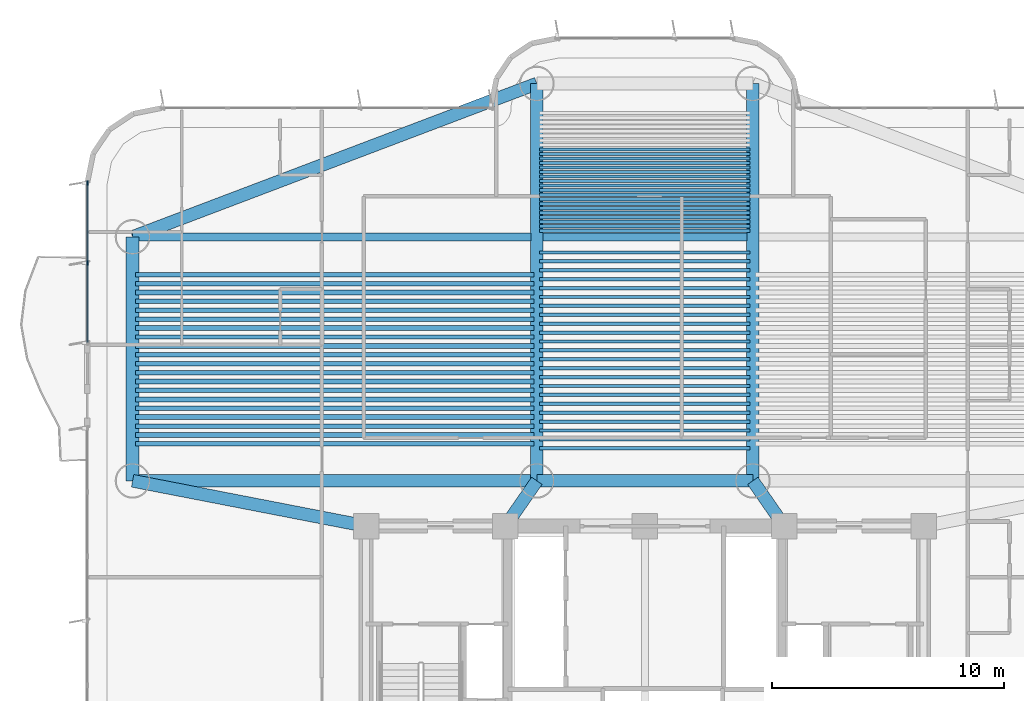
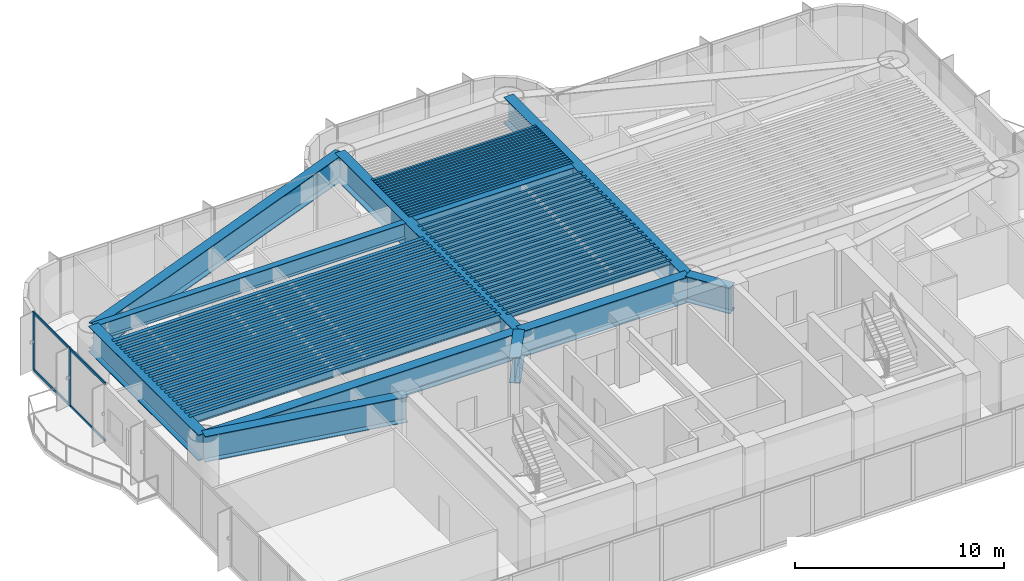
# One storey, part 3 of 17: 73 beams, 6 members, 1 element without a shape of its own.
"""IFC4 building model written with IfcOpenShell, lengths in metres."""

from ifc_helpers import new_model, si_unit, direction, frame, origin, origin_2d, place, context, subcontext, project, spatial, rectangle, i_section, extrude, source, transform, mapped, material, layer, layer_set, material_profile, profile_set, type_object, element, aggregate, save


model = new_model("IFC4")

# Units and contexts
model_context = context("Model", 3, precision=1e-05, world=origin(), true_north=direction((0.0, 1.0)))
body_context = subcontext(model_context, "Body", "Model", "MODEL_VIEW")
ifc_project = project(units=[si_unit("LENGTHUNIT", "METRE"), si_unit("AREAUNIT", "SQUARE_METRE"), si_unit("VOLUMEUNIT", "CUBIC_METRE"), si_unit("PLANEANGLEUNIT", "RADIAN"), si_unit("MASSUNIT", "GRAM", prefix="KILO")], contexts=[model_context])

# Site, building, storey
site_placement = place(None, origin())
site = spatial("IfcSite", under=ifc_project, at=site_placement, CompositionType="ELEMENT")
building_placement = place(site_placement, origin())
building = spatial("IfcBuilding", under=site, at=building_placement, Name="Brelvock Crest Care Tower", CompositionType="ELEMENT")
storey_placement = place(building_placement, frame((0.0, 0.0, 76.139892578125)))
storey = spatial("IfcBuildingStorey", under=building, at=storey_placement, Name="L19", CompositionType="ELEMENT", Elevation=76.139892578125)

# Beams
ifc_material_1 = material(Name="Steel Grade 350", Category="steel")
ifc_material_profile_1 = material_profile(ifc_material_1, i_section(OverallWidth=0.208984375, OverallDepth=0.532958984375, WebThickness=0.01025390625, FlangeThickness=0.015625, FilletRadius=0.013916015625, at=origin_2d()), Name="530UB92.4")
ifc_profile_set_1 = profile_set([ifc_material_profile_1], Name="Steel Grade 350")
beam_type_1 = type_object("IfcBeamType", Name="BM-G2", PredefinedType="BEAM", material=ifc_profile_set_1)
shared_shape_1 = source(origin(), body_context, "Body", "SweptSolid", [
    extrude(i_section(OverallWidth=0.208984375, OverallDepth=0.532958984375, WebThickness=0.01025390625, FlangeThickness=0.015625, FilletRadius=0.013916015625, at=origin_2d()), origin(), (0.0, 0.0, 1.0), 17.170166015625),
])
for number, where, z_axis, x_axis, name in (
    (1, (14.06494140625, 21.924072265625, 3.105712890625), (1.0, 0.0, 0.0), (0.0, 1.0, 0.0), "BM-JW-L19-5"),
    (2, (14.06494140625, 22.6904296875, 3.105712890625), (1.0, 0.0, 0.0), (0.0, 1.0, 0.0), "BM-JW-L19-7"),
    (3, (14.06494140625, 23.45703125, 3.105712890625), (1.0, 0.0, 0.0), (0.0, 1.0, 0.0), "BM-JW-L19-9"),
    (4, (14.06494140625, 24.223388671875, 3.105712890625), (1.0, 0.0, 0.0), (0.0, 1.0, 0.0), "BM-JW-L19-11"),
    (5, (14.06494140625, 24.989990234375, 3.105712890625), (1.0, 0.0, 0.0), (0.0, 1.0, 0.0), "BM-JW-L19-13"),
    (6, (14.06494140625, 25.756591796875, 3.105712890625), (1.0, 0.0, 0.0), (0.0, 1.0, 0.0), "BM-JW-L19-15"),
    (7, (14.06494140625, 26.52294921875, 3.105712890625), (1.0, 0.0, 0.0), (0.0, 1.0, 0.0), "BM-JW-L19-17"),
    (8, (14.06494140625, 27.28955078125, 3.105712890625), (1.0, 0.0, 0.0), (0.0, 1.0, 0.0), "BM-JW-L19-19"),
    (9, (14.06494140625, 28.055908203125, 3.105712890625), (1.0, 0.0, 0.0), (0.0, 1.0, 0.0), "BM-JW-L19-21"),
    (10, (14.06494140625, 28.822509765625, 3.105712890625), (1.0, 0.0, 0.0), (0.0, 1.0, 0.0), "BM-JW-L19-23"),
):
    element("IfcBeam", number, at=place(storey_placement, frame(where, z_axis=z_axis, x_axis=x_axis)), inside=storey, type_object=beam_type_1, Name=name, PredefinedType="BEAM", context=body_context, shape_type="MappedRepresentation", body=[
        mapped(shared_shape_1, transform((0.0, 0.0, 0.0), x_axis=(1.0, 0.0, 0.0), y_axis=(0.0, 1.0, 0.0), z_axis=(0.0, 0.0, 1.0), scale=1.0)),
    ])
ifc_material_profile_2 = material_profile(ifc_material_1, i_section(OverallWidth=0.14599609375, OverallDepth=0.256103515625, WebThickness=0.00634765625, FlangeThickness=0.010986328125, FilletRadius=0.0087890625, at=origin_2d()), Name="250UB37.3")
ifc_profile_set_2 = profile_set([ifc_material_profile_2], Name="Steel Grade 350")
beam_type_2 = type_object("IfcBeamType", Name="BM-J3", PredefinedType="JOIST", material=ifc_profile_set_2)
shared_shape_2 = source(origin(), body_context, "Body", "SweptSolid", [
    extrude(i_section(OverallWidth=0.14599609375, OverallDepth=0.256103515625, WebThickness=0.00634765625, FlangeThickness=0.010986328125, FilletRadius=0.0087890625, at=origin_2d()), origin(), (0.0, 0.0, 1.0), 9.06982421875),
])
for number, where, z_axis, x_axis, name in (
    (11, (31.465087890625, 21.34912109375, 3.244140625), (1.0, 0.0, 0.0), (0.0, 1.0, 0.0), "BM-JH-L19-3"),
    (12, (31.465087890625, 21.732421875, 3.244140625), (1.0, 0.0, 0.0), (0.0, 1.0, 0.0), "BM-JH-L19-4"),
    (13, (31.465087890625, 22.115478515625, 3.244140625), (1.0, 0.0, 0.0), (0.0, 1.0, 0.0), "BM-JH-L19-5"),
    (14, (31.465087890625, 22.498779296875, 3.244140625), (1.0, 0.0, 0.0), (0.0, 1.0, 0.0), "BM-JH-L19-6"),
    (15, (31.465087890625, 22.882080078125, 3.244140625), (1.0, 0.0, 0.0), (0.0, 1.0, 0.0), "BM-JH-L19-7"),
    (16, (31.465087890625, 23.265380859375, 3.244140625), (1.0, 0.0, 0.0), (0.0, 1.0, 0.0), "BM-JH-L19-8"),
    (17, (31.465087890625, 23.648681640625, 3.244140625), (1.0, 0.0, 0.0), (0.0, 1.0, 0.0), "BM-JH-L19-9"),
    (18, (31.465087890625, 24.03173828125, 3.244140625), (1.0, 0.0, 0.0), (0.0, 1.0, 0.0), "BM-JH-L19-10"),
    (19, (31.465087890625, 24.4150390625, 3.244140625), (1.0, 0.0, 0.0), (0.0, 1.0, 0.0), "BM-JH-L19-11"),
    (20, (31.465087890625, 24.79833984375, 3.244140625), (1.0, 0.0, 0.0), (0.0, 1.0, 0.0), "BM-JH-L19-12"),
    (21, (31.465087890625, 25.181640625, 3.244140625), (1.0, 0.0, 0.0), (0.0, 1.0, 0.0), "BM-JH-L19-13"),
    (22, (31.465087890625, 25.564697265625, 3.244140625), (1.0, 0.0, 0.0), (0.0, 1.0, 0.0), "BM-JH-L19-14"),
    (23, (31.465087890625, 25.947998046875, 3.244140625), (1.0, 0.0, 0.0), (0.0, 1.0, 0.0), "BM-JH-L19-15"),
    (24, (31.465087890625, 26.331298828125, 3.244140625), (1.0, 0.0, 0.0), (0.0, 1.0, 0.0), "BM-JH-L19-16"),
    (25, (31.465087890625, 26.714599609375, 3.244140625), (1.0, 0.0, 0.0), (0.0, 1.0, 0.0), "BM-JH-L19-17"),
    (26, (31.465087890625, 27.097900390625, 3.244140625), (1.0, 0.0, 0.0), (0.0, 1.0, 0.0), "BM-JH-L19-18"),
    (27, (31.465087890625, 27.481201171875, 3.244140625), (1.0, 0.0, 0.0), (0.0, 1.0, 0.0), "BM-JH-L19-19"),
    (28, (31.465087890625, 27.864501953125, 3.244140625), (1.0, 0.0, 0.0), (0.0, 1.0, 0.0), "BM-JH-L19-20"),
    (29, (31.465087890625, 28.24755859375, 3.244140625), (1.0, 0.0, 0.0), (0.0, 1.0, 0.0), "BM-JH-L19-21"),
    (30, (31.465087890625, 28.630859375, 3.244140625), (1.0, 0.0, 0.0), (0.0, 1.0, 0.0), "BM-JH-L19-22"),
    (31, (31.465087890625, 29.01416015625, 3.244140625), (1.0, 0.0, 0.0), (0.0, 1.0, 0.0), "BM-JH-L19-23"),
    (32, (31.465087890625, 29.397216796875, 3.244140625), (1.0, 0.0, 0.0), (0.0, 1.0, 0.0), "BM-JH-L19-24"),
    (33, (31.465087890625, 29.780517578125, 3.244140625), (1.0, 0.0, 0.0), (0.0, 1.0, 0.0), "BM-JH-L19-25"),
    (34, (31.465087890625, 30.714111328125, 3.244140625), (1.0, 0.0, 0.0), (0.0, 1.0, 0.0), "BM-JN-L19-1"),
    (35, (31.465087890625, 30.90869140625, 3.244140625), (1.0, 0.0, 0.0), (0.0, 1.0, 0.0), "BM-JN-L19-2"),
    (36, (31.465087890625, 31.103515625, 3.244140625), (1.0, 0.0, 0.0), (0.0, 1.0, 0.0), "BM-JN-L19-3"),
    (37, (31.465087890625, 31.298095703125, 3.244140625), (1.0, 0.0, 0.0), (0.0, 1.0, 0.0), "BM-JN-L19-4"),
    (38, (31.465087890625, 31.492919921875, 3.244140625), (1.0, 0.0, 0.0), (0.0, 1.0, 0.0), "BM-JN-L19-5"),
    (39, (31.465087890625, 31.6875, 3.244140625), (1.0, 0.0, 0.0), (0.0, 1.0, 0.0), "BM-JN-L19-6"),
    (40, (31.465087890625, 31.882080078125, 3.244140625), (1.0, 0.0, 0.0), (0.0, 1.0, 0.0), "BM-JN-L19-7"),
    (41, (31.465087890625, 32.076904296875, 3.244140625), (1.0, 0.0, 0.0), (0.0, 1.0, 0.0), "BM-JN-L19-8"),
    (42, (31.465087890625, 32.271484375, 3.244140625), (1.0, 0.0, 0.0), (0.0, 1.0, 0.0), "BM-JN-L19-9"),
    (43, (31.465087890625, 32.46630859375, 3.244140625), (1.0, 0.0, 0.0), (0.0, 1.0, 0.0), "BM-JN-L19-10"),
    (44, (31.465087890625, 32.660888671875, 3.244140625), (1.0, 0.0, 0.0), (0.0, 1.0, 0.0), "BM-JN-L19-11"),
    (45, (31.465087890625, 32.855712890625, 3.244140625), (1.0, 0.0, 0.0), (0.0, 1.0, 0.0), "BM-JN-L19-12"),
    (46, (31.465087890625, 33.05029296875, 3.244140625), (1.0, 0.0, 0.0), (0.0, 1.0, 0.0), "BM-JN-L19-13"),
):
    element("IfcBeam", number, at=place(storey_placement, frame(where, z_axis=z_axis, x_axis=x_axis)), inside=storey, type_object=beam_type_2, Name=name, PredefinedType="JOIST", context=body_context, shape_type="MappedRepresentation", body=[
        mapped(shared_shape_2, transform((0.0, 0.0, 0.0), x_axis=(1.0, 0.0, 0.0), y_axis=(0.0, 1.0, 0.0), z_axis=(0.0, 0.0, 1.0), scale=1.0)),
    ])
ifc_material_profile_3 = material_profile(ifc_material_1, i_section(OverallWidth=0.19091796875, OverallDepth=0.4599609375, WebThickness=0.010009765625, FlangeThickness=0.01611328125, FilletRadius=0.011474609375, at=origin_2d()), Name="460UB82.1")
ifc_profile_set_3 = profile_set([ifc_material_profile_3], Name="Steel Grade 350")
beam_type_3 = type_object("IfcBeamType", Name="BM-G3", PredefinedType="BEAM", material=ifc_profile_set_3)
shared_shape_3 = source(origin(), body_context, "Body", "SweptSolid", [
    extrude(i_section(OverallWidth=0.19091796875, OverallDepth=0.4599609375, WebThickness=0.010009765625, FlangeThickness=0.01611328125, FilletRadius=0.011474609375, at=origin_2d()), origin(), (0.0, 0.0, 1.0), 17.170166015625),
])
for number, where, z_axis, x_axis, name in (
    (47, (14.06494140625, 21.540771484375, 3.14208984375), (1.0, 0.0, 0.0), (0.0, 1.0, 0.0), "BM-JW-L19-4"),
    (48, (14.06494140625, 22.30712890625, 3.14208984375), (1.0, 0.0, 0.0), (0.0, 1.0, 0.0), "BM-JW-L19-6"),
    (49, (14.06494140625, 23.07373046875, 3.14208984375), (1.0, 0.0, 0.0), (0.0, 1.0, 0.0), "BM-JW-L19-8"),
    (50, (14.06494140625, 23.840087890625, 3.14208984375), (1.0, 0.0, 0.0), (0.0, 1.0, 0.0), "BM-JW-L19-10"),
    (51, (14.06494140625, 24.606689453125, 3.14208984375), (1.0, 0.0, 0.0), (0.0, 1.0, 0.0), "BM-JW-L19-12"),
    (52, (14.06494140625, 25.373291015625, 3.14208984375), (1.0, 0.0, 0.0), (0.0, 1.0, 0.0), "BM-JW-L19-14"),
    (53, (14.06494140625, 26.1396484375, 3.14208984375), (1.0, 0.0, 0.0), (0.0, 1.0, 0.0), "BM-JW-L19-16"),
    (54, (14.06494140625, 26.90625, 3.14208984375), (1.0, 0.0, 0.0), (0.0, 1.0, 0.0), "BM-JW-L19-18"),
    (55, (14.06494140625, 27.6728515625, 3.14208984375), (1.0, 0.0, 0.0), (0.0, 1.0, 0.0), "BM-JW-L19-20"),
    (56, (14.06494140625, 28.439208984375, 3.14208984375), (1.0, 0.0, 0.0), (0.0, 1.0, 0.0), "BM-JW-L19-22"),
):
    element("IfcBeam", number, at=place(storey_placement, frame(where, z_axis=z_axis, x_axis=x_axis)), inside=storey, type_object=beam_type_3, Name=name, PredefinedType="BEAM", context=body_context, shape_type="MappedRepresentation", body=[
        mapped(shared_shape_3, transform((0.0, 0.0, 0.0), x_axis=(1.0, 0.0, 0.0), y_axis=(0.0, 1.0, 0.0), z_axis=(0.0, 0.0, 1.0), scale=1.0)),
    ])
ifc_material_profile_4 = material_profile(ifc_material_1, i_section(OverallWidth=0.134033203125, OverallDepth=0.20703125, WebThickness=0.00634765625, FlangeThickness=0.009521484375, FilletRadius=0.0087890625, at=origin_2d()), Name="200UB29.8")
ifc_profile_set_4 = profile_set([ifc_material_profile_4], Name="Steel Grade 350")
beam_type_4 = type_object("IfcBeamType", Name="BM-J4", PredefinedType="JOIST", material=ifc_profile_set_4)
shared_shape_4 = source(origin(), body_context, "Body", "SweptSolid", [
    extrude(i_section(OverallWidth=0.134033203125, OverallDepth=0.20703125, WebThickness=0.00634765625, FlangeThickness=0.009521484375, FilletRadius=0.0087890625, at=origin_2d()), origin(), (0.0, 0.0, 1.0), 9.06982421875),
])
for number, where, z_axis, x_axis, name in (
    (57, (31.465087890625, 33.2451171875, 3.2685546875), (1.0, 0.0, 0.0), (0.0, 1.0, 0.0), "BM-JN-L19-14"),
    (58, (31.465087890625, 33.439697265625, 3.2685546875), (1.0, 0.0, 0.0), (0.0, 1.0, 0.0), "BM-JN-L19-15"),
    (59, (31.465087890625, 33.634521484375, 3.2685546875), (1.0, 0.0, 0.0), (0.0, 1.0, 0.0), "BM-JN-L19-16"),
    (60, (31.465087890625, 33.8291015625, 3.2685546875), (1.0, 0.0, 0.0), (0.0, 1.0, 0.0), "BM-JN-L19-17"),
    (61, (31.465087890625, 34.02392578125, 3.2685546875), (1.0, 0.0, 0.0), (0.0, 1.0, 0.0), "BM-JN-L19-18"),
    (62, (31.465087890625, 34.218505859375, 3.2685546875), (1.0, 0.0, 0.0), (0.0, 1.0, 0.0), "BM-JN-L19-19"),
):
    element("IfcBeam", number, at=place(storey_placement, frame(where, z_axis=z_axis, x_axis=x_axis)), inside=storey, type_object=beam_type_4, Name=name, PredefinedType="JOIST", context=body_context, shape_type="MappedRepresentation", body=[
        mapped(shared_shape_4, transform((0.0, 0.0, 0.0), x_axis=(1.0, 0.0, 0.0), y_axis=(0.0, 1.0, 0.0), z_axis=(0.0, 0.0, 1.0), scale=1.0)),
    ])
ifc_material_profile_5 = material_profile(ifc_material_1, i_section(OverallWidth=0.550048828125, OverallDepth=1.5, WebThickness=0.02392578125, FlangeThickness=0.044921875, at=origin_2d()), Name="1500TG580")
ifc_profile_set_5 = profile_set([ifc_material_profile_5], Name="Steel Grade 350")
beam_type_5 = type_object("IfcBeamType", Name="BM-TG2", PredefinedType="USERDEFINED", material=ifc_profile_set_5)
shared_shape_5 = source(origin(), body_context, "Body", "SweptSolid", [
    extrude(i_section(OverallWidth=0.550048828125, OverallDepth=1.5, WebThickness=0.02392578125, FlangeThickness=0.044921875, at=origin_2d()), origin(), (0.0, 0.0, 1.0), 10.5),
])
beam_1_placement = place(storey_placement, frame((13.949951171875, 19.949951171875, 2.6220703125), z_axis=(0.0, 1.0, 0.0), x_axis=(-1.0, 0.0, 0.0)))
element("IfcBeam", 63, at=beam_1_placement, inside=storey, type_object=beam_type_5, Name="BM-TWR-L19-01", ObjectType="GIRDER", PredefinedType="USERDEFINED", context=body_context, shape_type="MappedRepresentation", body=[
    mapped(shared_shape_5, transform((0.0, 0.0, 0.0), x_axis=(1.0, 0.0, 0.0), y_axis=(0.0, 1.0, 0.0), z_axis=(0.0, 0.0, 1.0), scale=1.0)),
])
shared_shape_6 = source(origin(), body_context, "Body", "SweptSolid", [
    extrude(i_section(OverallWidth=0.550048828125, OverallDepth=1.5, WebThickness=0.02392578125, FlangeThickness=0.044921875, at=origin_2d()), origin(), (0.0, 0.0, 1.0), 17.400146484375),
])
beam_2_placement = place(storey_placement, frame((13.949951171875, 19.949951171875, 2.6220703125), z_axis=(1.0, 0.0, 0.0), x_axis=(0.0, 1.0, 0.0)))
element("IfcBeam", 64, at=beam_2_placement, inside=storey, type_object=beam_type_5, Name="BM-TWR-L19-03", ObjectType="GIRDER", PredefinedType="USERDEFINED", context=body_context, shape_type="MappedRepresentation", body=[
    mapped(shared_shape_6, transform((0.0, 0.0, 0.0), x_axis=(1.0, 0.0, 0.0), y_axis=(0.0, 1.0, 0.0), z_axis=(0.0, 0.0, 1.0), scale=1.0)),
])
shared_shape_7 = source(origin(), body_context, "Body", "SweptSolid", [
    extrude(i_section(OverallWidth=0.550048828125, OverallDepth=1.5, WebThickness=0.02392578125, FlangeThickness=0.044921875, at=origin_2d()), origin(), (0.0, 0.0, 1.0), 9.2998046875),
])
beam_3_placement = place(storey_placement, frame((31.35009765625, 19.949951171875, 2.6220703125), z_axis=(1.0, 0.0, 0.0), x_axis=(0.0, 1.0, 0.0)))
element("IfcBeam", 65, at=beam_3_placement, inside=storey, type_object=beam_type_5, Name="BM-TWR-L19-05", ObjectType="GIRDER", PredefinedType="USERDEFINED", context=body_context, shape_type="MappedRepresentation", body=[
    mapped(shared_shape_7, transform((0.0, 0.0, 0.0), x_axis=(1.0, 0.0, 0.0), y_axis=(0.0, 1.0, 0.0), z_axis=(0.0, 0.0, 1.0), scale=1.0)),
])
shared_shape_8 = source(origin(), body_context, "Body", "SweptSolid", [
    extrude(i_section(OverallWidth=0.550048828125, OverallDepth=1.5, WebThickness=0.02392578125, FlangeThickness=0.044921875, at=origin_2d()), origin(), (0.0, 0.0, 1.0), 18.60986328125),
])
beam_4_placement = place(storey_placement, frame((13.949951171875, 30.449951171875, 2.6220703125), z_axis=(0.934996776275, 0.3546562115, 0.0), x_axis=(-0.3546562115, 0.934996776275, 0.0)))
element("IfcBeam", 66, at=beam_4_placement, inside=storey, type_object=beam_type_5, Name="BM-TWR-L19-06", ObjectType="GIRDER", PredefinedType="USERDEFINED", context=body_context, shape_type="MappedRepresentation", body=[
    mapped(shared_shape_8, transform((0.0, 0.0, 0.0), x_axis=(1.0, 0.0, 0.0), y_axis=(0.0, 1.0, 0.0), z_axis=(0.0, 0.0, 1.0), scale=1.0)),
])
shared_shape_9 = source(origin(), body_context, "Body", "SweptSolid", [
    extrude(i_section(OverallWidth=0.550048828125, OverallDepth=1.5, WebThickness=0.02392578125, FlangeThickness=0.044921875, at=origin_2d()), origin(), (0.0, 0.0, 1.0), 17.10009765625),
])
for number, where, z_axis, x_axis, name in (
    (67, (31.35009765625, 19.949951171875, 2.6220703125), (0.0, 1.0, 0.0), (-1.0, 0.0, 0.0), "BM-TWR-L19-09"),
    (68, (40.64990234375, 19.949951171875, 2.6220703125), (0.0, 1.0, 0.0), (-1.0, 0.0, 0.0), "BM-TWR-L19-10"),
):
    element("IfcBeam", number, at=place(storey_placement, frame(where, z_axis=z_axis, x_axis=x_axis)), inside=storey, type_object=beam_type_5, Name=name, ObjectType="GIRDER", PredefinedType="USERDEFINED", context=body_context, shape_type="MappedRepresentation", body=[
        mapped(shared_shape_9, transform((0.0, 0.0, 0.0), x_axis=(1.0, 0.0, 0.0), y_axis=(0.0, 1.0, 0.0), z_axis=(0.0, 0.0, 1.0), scale=1.0)),
    ])
ifc_material_profile_6 = material_profile(ifc_material_1, i_section(OverallWidth=0.35009765625, OverallDepth=0.89990234375, WebThickness=0.01611328125, FlangeThickness=0.028076171875, at=origin_2d()), Name="900WB257")
ifc_profile_set_6 = profile_set([ifc_material_profile_6], Name="Steel Grade 350")
beam_type_6 = type_object("IfcBeamType", Name="BM-G6", PredefinedType="BEAM", material=ifc_profile_set_6)
shared_shape_10 = source(origin(), body_context, "Body", "SweptSolid", [
    extrude(i_section(OverallWidth=0.35009765625, OverallDepth=0.89990234375, WebThickness=0.01611328125, FlangeThickness=0.028076171875, at=origin_2d()), origin(), (0.0, 0.0, 1.0), 17.14013671875),
])
beam_5_placement = place(storey_placement, frame((13.949951171875, 30.449951171875, 2.922119140625), z_axis=(1.0, 0.0, 0.0), x_axis=(0.0, 1.0, 0.0)))
element("IfcBeam", 69, at=beam_5_placement, inside=storey, type_object=beam_type_6, Name="BM-TIE-L19-W", PredefinedType="BEAM", context=body_context, shape_type="MappedRepresentation", body=[
    mapped(shared_shape_10, transform((0.0, 0.0, 0.0), x_axis=(1.0, 0.0, 0.0), y_axis=(0.0, 1.0, 0.0), z_axis=(0.0, 0.0, 1.0), scale=1.0)),
])
shared_shape_11 = source(origin(), body_context, "Body", "SweptSolid", [
    extrude(i_section(OverallWidth=0.35009765625, OverallDepth=0.89990234375, WebThickness=0.01611328125, FlangeThickness=0.028076171875, at=origin_2d()), origin(), (0.0, 0.0, 1.0), 8.77978515625),
])
beam_6_placement = place(storey_placement, frame((31.610107421875, 30.449951171875, 2.922119140625), z_axis=(1.0, 0.0, 0.0), x_axis=(0.0, 1.0, 0.0)))
element("IfcBeam", 70, at=beam_6_placement, inside=storey, type_object=beam_type_6, Name="BM-TIE-L19-C", PredefinedType="BEAM", context=body_context, shape_type="MappedRepresentation", body=[
    mapped(shared_shape_11, transform((0.0, 0.0, 0.0), x_axis=(1.0, 0.0, 0.0), y_axis=(0.0, 1.0, 0.0), z_axis=(0.0, 0.0, 1.0), scale=1.0)),
])
shared_shape_12 = source(origin(), body_context, "Body", "SweptSolid", [
    extrude(i_section(OverallWidth=0.550048828125, OverallDepth=1.5, WebThickness=0.02392578125, FlangeThickness=0.044921875, at=origin_2d()), origin(), (0.0, 0.0, 1.0), 2.371826171875),
])
for number, where, z_axis, x_axis, name in (
    (71, (30.0, 18.0, 2.6220703125), (0.569247447691, 0.8221662504, 0.0), (-0.8221662504, 0.569247447691, 0.0), "BM-THRW-L19"),
    (72, (42.0, 18.0, 2.6220703125), (-0.569247447691, 0.8221662504, 0.0), (-0.8221662504, -0.569247447691, 0.0), "BM-THRE-L19"),
):
    element("IfcBeam", number, at=place(storey_placement, frame(where, z_axis=z_axis, x_axis=x_axis)), inside=storey, type_object=beam_type_5, Name=name, ObjectType="GIRDER", PredefinedType="USERDEFINED", context=body_context, shape_type="MappedRepresentation", body=[
        mapped(shared_shape_12, transform((0.0, 0.0, 0.0), x_axis=(1.0, 0.0, 0.0), y_axis=(0.0, 1.0, 0.0), z_axis=(0.0, 0.0, 1.0), scale=1.0)),
    ])
shared_shape_13 = source(origin(), body_context, "Body", "SweptSolid", [
    extrude(i_section(OverallWidth=0.550048828125, OverallDepth=1.5, WebThickness=0.02392578125, FlangeThickness=0.044921875, at=origin_2d()), origin(), (0.0, 0.0, 1.0), 10.237548828125),
])
beam_7_placement = place(storey_placement, frame((24.0, 18.0, 2.6220703125), z_axis=(-0.981692632568, 0.190471979991, 0.0), x_axis=(-0.190471979991, -0.981692632568, 0.0)))
element("IfcBeam", 73, at=beam_7_placement, inside=storey, type_object=beam_type_5, Name="BM-THRO-W-L19", ObjectType="GIRDER", PredefinedType="USERDEFINED", context=body_context, shape_type="MappedRepresentation", body=[
    mapped(shared_shape_13, transform((0.0, 0.0, 0.0), x_axis=(1.0, 0.0, 0.0), y_axis=(0.0, 1.0, 0.0), z_axis=(0.0, 0.0, 1.0), scale=1.0)),
])

# Curtain wall, members
ifc_material_2 = material(Name="Dark Glass Double Glazed Low-E", Category="glass")
ifc_layer = layer(ifc_material_2, 0.195068359375, Name="CWS-2")
ifc_layer_set = layer_set([ifc_layer], Name="Dark Glass Double Glazed Low-E")
curtain_wall_type = type_object("IfcCurtainWallType", Name="CWS-2", PredefinedType="NOTDEFINED", material=ifc_layer_set)
curtain_wall_placement = place(storey_placement, origin())
curtain_wall = element("IfcCurtainWall", 74, at=curtain_wall_placement, inside=storey, type_object=curtain_wall_type, Name="L19 Curtain Wall E13B", PredefinedType="NOTDEFINED")
ifc_material_3 = material(Name="Aluminium 6063-T6", Category="aluminium")
ifc_material_profile_7 = material_profile(ifc_material_3, rectangle(XDim=0.06494140625, YDim=0.14990234375, at=origin_2d()), Name="ALU65x150")
ifc_profile_set_7 = profile_set([ifc_material_profile_7], Name="Aluminium 6063-T6")
member_type_1 = type_object("IfcMemberType", Name="CWT-1", PredefinedType="USERDEFINED", material=ifc_profile_set_7)
shared_shape_14 = source(origin(), body_context, "Body", "SweptSolid", [
    extrude(rectangle(XDim=0.06494140625, YDim=0.14990234375, at=origin_2d()), origin(), (0.0, 0.0, 1.0), 3.377685546875),
])
member_1_placement = place(storey_placement, frame((12.0, 29.357421875, 0.03271484375), z_axis=(0.0, 1.0, 0.0), x_axis=(-1.0, 0.0, 0.0)))
member_1 = element("IfcMember", 75, at=member_1_placement, type_object=member_type_1, Name="CW-2 transom 2.1", ObjectType="TRANSOM", PredefinedType="USERDEFINED", context=body_context, shape_type="MappedRepresentation", body=[
    mapped(shared_shape_14, transform((0.0, 0.0, 0.0), x_axis=(1.0, 0.0, 0.0), y_axis=(0.0, 1.0, 0.0), z_axis=(0.0, 0.0, 1.0), scale=1.0)),
])
member_2_placement = place(storey_placement, frame((12.0, 29.357421875, 3.339599609375), z_axis=(0.0, 1.0, 0.0), x_axis=(-1.0, 0.0, 0.0)))
member_2 = element("IfcMember", 76, at=member_2_placement, type_object=member_type_1, Name="CW-2 transom 2.2", ObjectType="TRANSOM", PredefinedType="USERDEFINED", context=body_context, shape_type="MappedRepresentation", body=[
    mapped(shared_shape_14, transform((0.0, 0.0, 0.0), x_axis=(1.0, 0.0, 0.0), y_axis=(0.0, 1.0, 0.0), z_axis=(0.0, 0.0, 1.0), scale=1.0)),
])
shared_shape_15 = source(origin(), body_context, "Body", "SweptSolid", [
    extrude(rectangle(XDim=0.06494140625, YDim=0.14990234375, at=origin_2d()), origin(), (0.0, 0.0, 1.0), 3.37744140625),
])
member_3_placement = place(storey_placement, frame((12.0, 25.9150390625, 0.03271484375), z_axis=(0.0, 1.0, 0.0), x_axis=(-1.0, 0.0, 0.0)))
member_3 = element("IfcMember", 77, at=member_3_placement, type_object=member_type_1, Name="CW-2 transom 1.1", ObjectType="TRANSOM", PredefinedType="USERDEFINED", context=body_context, shape_type="MappedRepresentation", body=[
    mapped(shared_shape_15, transform((0.0, 0.0, 0.0), x_axis=(1.0, 0.0, 0.0), y_axis=(0.0, 1.0, 0.0), z_axis=(0.0, 0.0, 1.0), scale=1.0)),
])
member_4_placement = place(storey_placement, frame((12.0, 25.9150390625, 3.339599609375), z_axis=(0.0, 1.0, 0.0), x_axis=(-1.0, 0.0, 0.0)))
member_4 = element("IfcMember", 78, at=member_4_placement, type_object=member_type_1, Name="CW-2 transom 1.2", ObjectType="TRANSOM", PredefinedType="USERDEFINED", context=body_context, shape_type="MappedRepresentation", body=[
    mapped(shared_shape_15, transform((0.0, 0.0, 0.0), x_axis=(1.0, 0.0, 0.0), y_axis=(0.0, 1.0, 0.0), z_axis=(0.0, 0.0, 1.0), scale=1.0)),
])
ifc_material_profile_8 = material_profile(ifc_material_3, rectangle(XDim=0.06494140625, YDim=0.199951171875, at=origin_2d()), Name="ALU65x200")
ifc_profile_set_8 = profile_set([ifc_material_profile_8], Name="Aluminium 6063-T6")
member_type_2 = type_object("IfcMemberType", Name="CWM-1", PredefinedType="MULLION", material=ifc_profile_set_8)
shared_shape_16 = source(origin(), body_context, "Body", "SweptSolid", [
    extrude(rectangle(XDim=0.06494140625, YDim=0.199951171875, at=origin_2d()), origin(), (0.0, 0.0, 1.0), 3.3720703125),
])
member_5_placement = place(storey_placement, frame((12.0, 29.324951171875, 0.0), z_axis=(0.0, 0.0, 1.0), x_axis=(-1.0, 0.0, 0.0)))
member_5 = element("IfcMember", 79, at=member_5_placement, type_object=member_type_2, Name="CW-2 mullion 2", PredefinedType="MULLION", context=body_context, shape_type="MappedRepresentation", body=[
    mapped(shared_shape_16, transform((0.0, 0.0, 0.0), x_axis=(1.0, 0.0, 0.0), y_axis=(0.0, 1.0, 0.0), z_axis=(0.0, 0.0, 1.0), scale=1.0)),
])
member_6_placement = place(storey_placement, frame((12.0, 32.767578125, 0.0), z_axis=(0.0, 0.0, 1.0), x_axis=(-1.0, 0.0, 0.0)))
member_6 = element("IfcMember", 80, at=member_6_placement, type_object=member_type_2, Name="CW-2 mullion 3", PredefinedType="MULLION", context=body_context, shape_type="MappedRepresentation", body=[
    mapped(shared_shape_16, transform((0.0, 0.0, 0.0), x_axis=(1.0, 0.0, 0.0), y_axis=(0.0, 1.0, 0.0), z_axis=(0.0, 0.0, 1.0), scale=1.0)),
])
aggregate(curtain_wall, [member_5, member_6, member_3, member_4, member_1, member_2])

save(model, "model.ifc")
